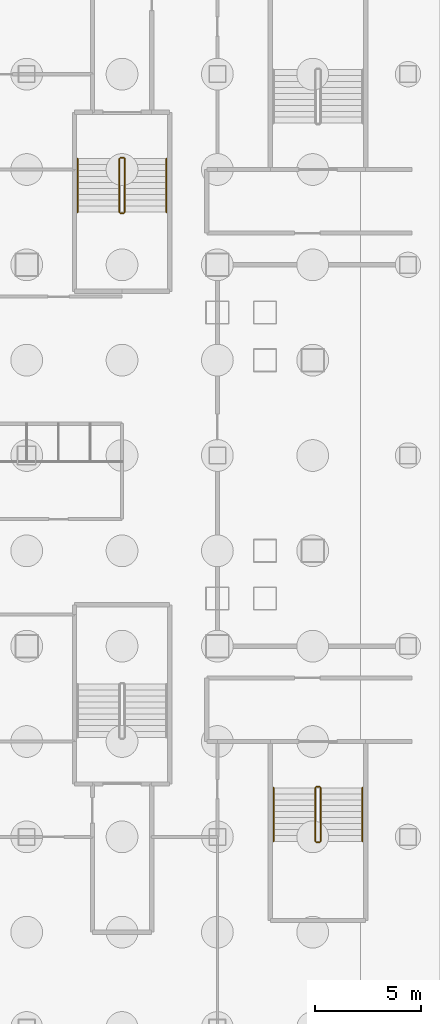
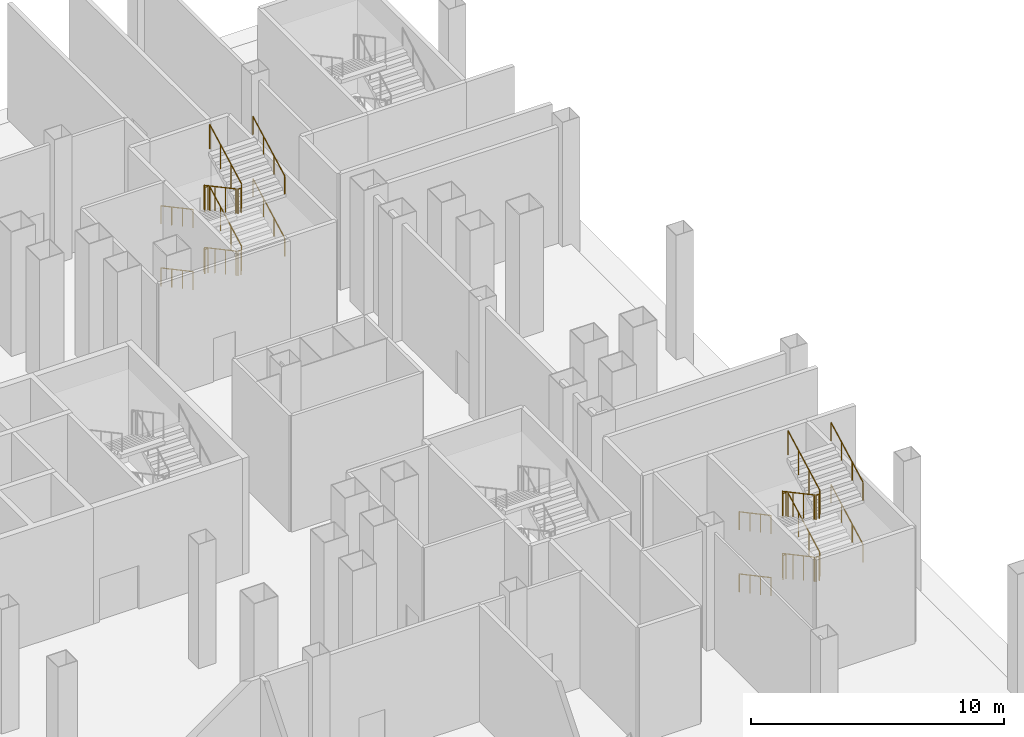
# One storey, part 23 of 25: 24 railings.
"""IFC4 building model written with IfcOpenShell, lengths in metres."""

from ifc_helpers import new_model, si_unit, direction, frame, origin, origin_2d, place, context, subcontext, project, spatial, circle, extrude, material, type_object, element, save


model = new_model("IFC4")

# Units and contexts
model_context = context("Model", 3, precision=1e-05, world=origin(), true_north=direction((0.0, 1.0)))
body_context = subcontext(model_context, "Body", "Model", "MODEL_VIEW")
ifc_project = project(units=[si_unit("LENGTHUNIT", "METRE"), si_unit("AREAUNIT", "SQUARE_METRE"), si_unit("VOLUMEUNIT", "CUBIC_METRE"), si_unit("PLANEANGLEUNIT", "RADIAN"), si_unit("MASSUNIT", "GRAM", prefix="KILO")], contexts=[model_context])

# Site, building, storey
site_placement = place(None, origin())
site = spatial("IfcSite", under=ifc_project, at=site_placement, CompositionType="ELEMENT")
building_placement = place(site_placement, origin())
building = spatial("IfcBuilding", under=site, at=building_placement, Name="Caravel Reach Hotel and Residences", CompositionType="ELEMENT")
storey_placement = place(building_placement, frame((0.0, 0.0, -6.0)))
storey = spatial("IfcBuildingStorey", under=building, at=storey_placement, Name="B1", CompositionType="ELEMENT", Elevation=-6.0)

# Railings
ifc_material_1 = material(Name="Steel balustrade with glass infill", Category="steel")
railing_type_1 = type_object("IfcRailingType", Name="Guard 1200", PredefinedType="GUARDRAIL", material=ifc_material_1)
railing_1_placement = place(storey_placement, frame((53.875, 41.010009765625, 0.14990234375)))
element("IfcRailing", 1, at=railing_1_placement, inside=storey, type_object=railing_type_1, Name="B1 ST-P2 stair guard 1", PredefinedType="GUARDRAIL", context=body_context, shape_type="SweptSolid", body=[
    extrude(circle(Radius=0.02392578125, at=origin_2d()), frame((0.0, 0.0, 1.17578125), z_axis=(0.0, -0.881467274426, 0.472245110209), x_axis=(1.0, 0.0, 0.0)), (0.0, 0.0, 1.0), 2.85888671875),
    extrude(circle(Radius=0.02099609375, at=origin_2d()), origin(), (0.0, 0.0, 1.0), 1.15185546875),
    extrude(circle(Radius=0.02099609375, at=origin_2d()), frame((0.0, -0.840087890625, 0.449951171875)), (0.0, 0.0, 1.0), 1.15185546875),
    extrude(circle(Radius=0.02099609375, at=origin_2d()), frame((0.0, -1.679931640625, 0.900146484375)), (0.0, 0.0, 1.0), 1.15185546875),
    extrude(circle(Radius=0.02099609375, at=origin_2d()), frame((0.0, -2.52001953125, 1.35009765625)), (0.0, 0.0, 1.0), 1.15185546875),
])
railing_2_placement = place(storey_placement, frame((53.925048828125, 38.43994140625, 1.5)))
element("IfcRailing", 2, at=railing_2_placement, inside=storey, type_object=railing_type_1, Name="B1 ST-P2 stair guard 2", PredefinedType="GUARDRAIL", context=body_context, shape_type="SweptSolid", body=[
    extrude(circle(Radius=0.02392578125, at=origin_2d()), frame((0.0, 0.0, 1.17578125), z_axis=(1.0, 0.0, 0.0), x_axis=(0.0, 1.0, 0.0)), (0.0, 0.0, 1.0), 0.14990234375),
    extrude(circle(Radius=0.02099609375, at=origin_2d()), origin(), (0.0, 0.0, 1.0), 1.15185546875),
    extrude(circle(Radius=0.02099609375, at=origin_2d()), frame((0.14990234375, 0.0, 0.0)), (0.0, 0.0, 1.0), 1.15185546875),
])
railing_3_placement = place(storey_placement, frame((54.125, 38.489990234375, 1.64990234375)))
element("IfcRailing", 3, at=railing_3_placement, inside=storey, type_object=railing_type_1, Name="B1 ST-P2 stair guard 3", PredefinedType="GUARDRAIL", context=body_context, shape_type="SweptSolid", body=[
    extrude(circle(Radius=0.02392578125, at=origin_2d()), frame((0.0, 0.0, 1.17578125), z_axis=(0.0, 0.881467274426, 0.472245110209), x_axis=(-1.0, 0.0, 0.0)), (0.0, 0.0, 1.0), 2.85888671875),
    extrude(circle(Radius=0.02099609375, at=origin_2d()), origin(), (0.0, 0.0, 1.0), 1.15185546875),
    extrude(circle(Radius=0.02099609375, at=origin_2d()), frame((0.0, 0.840087890625, 0.449951171875)), (0.0, 0.0, 1.0), 1.15185546875),
    extrude(circle(Radius=0.02099609375, at=origin_2d()), frame((0.0, 1.679931640625, 0.900146484375)), (0.0, 0.0, 1.0), 1.15185546875),
    extrude(circle(Radius=0.02099609375, at=origin_2d()), frame((0.0, 2.52001953125, 1.35009765625)), (0.0, 0.0, 1.0), 1.15185546875),
])
railing_4_placement = place(storey_placement, frame((53.925048828125, 41.06005859375, 3.0)))
element("IfcRailing", 4, at=railing_4_placement, inside=storey, type_object=railing_type_1, Name="B1 ST-P2 stair guard 4", PredefinedType="GUARDRAIL", context=body_context, shape_type="SweptSolid", body=[
    extrude(circle(Radius=0.02392578125, at=origin_2d()), frame((0.0, 0.0, 1.17578125), z_axis=(1.0, 0.0, 0.0), x_axis=(0.0, 1.0, 0.0)), (0.0, 0.0, 1.0), 0.14990234375),
    extrude(circle(Radius=0.02099609375, at=origin_2d()), origin(), (0.0, 0.0, 1.0), 1.15185546875),
    extrude(circle(Radius=0.02099609375, at=origin_2d()), frame((0.14990234375, 0.0, 0.0)), (0.0, 0.0, 1.0), 1.15185546875),
])
railing_5_placement = place(storey_placement, frame((53.875, 41.010009765625, 3.14990234375)))
element("IfcRailing", 5, at=railing_5_placement, inside=storey, type_object=railing_type_1, Name="B1 ST-P2 stair guard 5", PredefinedType="GUARDRAIL", context=body_context, shape_type="SweptSolid", body=[
    extrude(circle(Radius=0.02392578125, at=origin_2d()), frame((0.0, 0.0, 1.17578125), z_axis=(0.0, -0.881467274426, 0.472245110209), x_axis=(1.0, 0.0, 0.0)), (0.0, 0.0, 1.0), 2.85888671875),
    extrude(circle(Radius=0.02099609375, at=origin_2d()), origin(), (0.0, 0.0, 1.0), 1.15185546875),
    extrude(circle(Radius=0.02099609375, at=origin_2d()), frame((0.0, -0.840087890625, 0.449951171875)), (0.0, 0.0, 1.0), 1.15185546875),
    extrude(circle(Radius=0.02099609375, at=origin_2d()), frame((0.0, -1.679931640625, 0.900146484375)), (0.0, 0.0, 1.0), 1.15185546875),
    extrude(circle(Radius=0.02099609375, at=origin_2d()), frame((0.0, -2.52001953125, 1.35009765625)), (0.0, 0.0, 1.0), 1.15185546875),
])
railing_6_placement = place(storey_placement, frame((53.925048828125, 38.43994140625, 4.5)))
element("IfcRailing", 6, at=railing_6_placement, inside=storey, type_object=railing_type_1, Name="B1 ST-P2 stair guard 6", PredefinedType="GUARDRAIL", context=body_context, shape_type="SweptSolid", body=[
    extrude(circle(Radius=0.02392578125, at=origin_2d()), frame((0.0, 0.0, 1.17578125), z_axis=(1.0, 0.0, 0.0), x_axis=(0.0, 1.0, 0.0)), (0.0, 0.0, 1.0), 0.14990234375),
    extrude(circle(Radius=0.02099609375, at=origin_2d()), origin(), (0.0, 0.0, 1.0), 1.15185546875),
    extrude(circle(Radius=0.02099609375, at=origin_2d()), frame((0.14990234375, 0.0, 0.0)), (0.0, 0.0, 1.0), 1.15185546875),
])
railing_7_placement = place(storey_placement, frame((54.125, 38.489990234375, 4.64990234375)))
element("IfcRailing", 7, at=railing_7_placement, inside=storey, type_object=railing_type_1, Name="B1 ST-P2 stair guard 7", PredefinedType="GUARDRAIL", context=body_context, shape_type="SweptSolid", body=[
    extrude(circle(Radius=0.02392578125, at=origin_2d()), frame((0.0, 0.0, 1.17578125), z_axis=(0.0, 0.881467274426, 0.472245110209), x_axis=(-1.0, 0.0, 0.0)), (0.0, 0.0, 1.0), 2.85888671875),
    extrude(circle(Radius=0.02099609375, at=origin_2d()), origin(), (0.0, 0.0, 1.0), 1.15185546875),
    extrude(circle(Radius=0.02099609375, at=origin_2d()), frame((0.0, 0.840087890625, 0.449951171875)), (0.0, 0.0, 1.0), 1.15185546875),
    extrude(circle(Radius=0.02099609375, at=origin_2d()), frame((0.0, 1.679931640625, 0.900146484375)), (0.0, 0.0, 1.0), 1.15185546875),
    extrude(circle(Radius=0.02099609375, at=origin_2d()), frame((0.0, 2.52001953125, 1.35009765625)), (0.0, 0.0, 1.0), 1.15185546875),
])
railing_8_placement = place(storey_placement, frame((53.925048828125, 41.06005859375, 0.0)))
element("IfcRailing", 8, at=railing_8_placement, inside=storey, type_object=railing_type_1, Name="B1 ST-P2 stair guard 8", PredefinedType="GUARDRAIL", context=body_context, shape_type="SweptSolid", body=[
    extrude(circle(Radius=0.02392578125, at=origin_2d()), frame((0.0, 0.0, 1.17578125), z_axis=(1.0, 0.0, 0.0), x_axis=(0.0, 1.0, 0.0)), (0.0, 0.0, 1.0), 0.14990234375),
    extrude(circle(Radius=0.02099609375, at=origin_2d()), origin(), (0.0, 0.0, 1.0), 1.15185546875),
    extrude(circle(Radius=0.02099609375, at=origin_2d()), frame((0.14990234375, 0.0, 0.0)), (0.0, 0.0, 1.0), 1.15185546875),
])
railing_9_placement = place(storey_placement, frame((63.125, 11.31005859375, 0.14990234375)))
element("IfcRailing", 9, at=railing_9_placement, inside=storey, type_object=railing_type_1, Name="B1 ST-P7 stair guard 1", PredefinedType="GUARDRAIL", context=body_context, shape_type="SweptSolid", body=[
    extrude(circle(Radius=0.02392578125, at=origin_2d()), frame((0.0, 0.0, 1.17578125), z_axis=(0.0, -0.881467274426, 0.472245110209), x_axis=(1.0, 0.0, 0.0)), (0.0, 0.0, 1.0), 2.85888671875),
    extrude(circle(Radius=0.02099609375, at=origin_2d()), origin(), (0.0, 0.0, 1.0), 1.15185546875),
    extrude(circle(Radius=0.02099609375, at=origin_2d()), frame((0.0, -0.840087890625, 0.449951171875)), (0.0, 0.0, 1.0), 1.15185546875),
    extrude(circle(Radius=0.02099609375, at=origin_2d()), frame((0.0, -1.679931640625, 0.900146484375)), (0.0, 0.0, 1.0), 1.15185546875),
    extrude(circle(Radius=0.02099609375, at=origin_2d()), frame((0.0, -2.52001953125, 1.35009765625)), (0.0, 0.0, 1.0), 1.15185546875),
])
railing_10_placement = place(storey_placement, frame((63.175048828125, 8.739990234375, 1.5)))
element("IfcRailing", 10, at=railing_10_placement, inside=storey, type_object=railing_type_1, Name="B1 ST-P7 stair guard 2", PredefinedType="GUARDRAIL", context=body_context, shape_type="SweptSolid", body=[
    extrude(circle(Radius=0.02392578125, at=origin_2d()), frame((0.0, 0.0, 1.17578125), z_axis=(1.0, 0.0, 0.0), x_axis=(0.0, 1.0, 0.0)), (0.0, 0.0, 1.0), 0.14990234375),
    extrude(circle(Radius=0.02099609375, at=origin_2d()), origin(), (0.0, 0.0, 1.0), 1.15185546875),
    extrude(circle(Radius=0.02099609375, at=origin_2d()), frame((0.14990234375, 0.0, 0.0)), (0.0, 0.0, 1.0), 1.15185546875),
])
railing_11_placement = place(storey_placement, frame((63.375, 8.7900390625, 1.64990234375)))
element("IfcRailing", 11, at=railing_11_placement, inside=storey, type_object=railing_type_1, Name="B1 ST-P7 stair guard 3", PredefinedType="GUARDRAIL", context=body_context, shape_type="SweptSolid", body=[
    extrude(circle(Radius=0.02392578125, at=origin_2d()), frame((0.0, 0.0, 1.17578125), z_axis=(0.0, 0.881467274426, 0.472245110209), x_axis=(-1.0, 0.0, 0.0)), (0.0, 0.0, 1.0), 2.85888671875),
    extrude(circle(Radius=0.02099609375, at=origin_2d()), origin(), (0.0, 0.0, 1.0), 1.15185546875),
    extrude(circle(Radius=0.02099609375, at=origin_2d()), frame((0.0, 0.840087890625, 0.449951171875)), (0.0, 0.0, 1.0), 1.15185546875),
    extrude(circle(Radius=0.02099609375, at=origin_2d()), frame((0.0, 1.679931640625, 0.900146484375)), (0.0, 0.0, 1.0), 1.15185546875),
    extrude(circle(Radius=0.02099609375, at=origin_2d()), frame((0.0, 2.52001953125, 1.35009765625)), (0.0, 0.0, 1.0), 1.15185546875),
])
railing_12_placement = place(storey_placement, frame((63.175048828125, 11.360107421875, 3.0)))
element("IfcRailing", 12, at=railing_12_placement, inside=storey, type_object=railing_type_1, Name="B1 ST-P7 stair guard 4", PredefinedType="GUARDRAIL", context=body_context, shape_type="SweptSolid", body=[
    extrude(circle(Radius=0.02392578125, at=origin_2d()), frame((0.0, 0.0, 1.17578125), z_axis=(1.0, 0.0, 0.0), x_axis=(0.0, 1.0, 0.0)), (0.0, 0.0, 1.0), 0.14990234375),
    extrude(circle(Radius=0.02099609375, at=origin_2d()), origin(), (0.0, 0.0, 1.0), 1.15185546875),
    extrude(circle(Radius=0.02099609375, at=origin_2d()), frame((0.14990234375, 0.0, 0.0)), (0.0, 0.0, 1.0), 1.15185546875),
])
railing_13_placement = place(storey_placement, frame((63.125, 11.31005859375, 3.14990234375)))
element("IfcRailing", 13, at=railing_13_placement, inside=storey, type_object=railing_type_1, Name="B1 ST-P7 stair guard 5", PredefinedType="GUARDRAIL", context=body_context, shape_type="SweptSolid", body=[
    extrude(circle(Radius=0.02392578125, at=origin_2d()), frame((0.0, 0.0, 1.17578125), z_axis=(0.0, -0.881467274426, 0.472245110209), x_axis=(1.0, 0.0, 0.0)), (0.0, 0.0, 1.0), 2.85888671875),
    extrude(circle(Radius=0.02099609375, at=origin_2d()), origin(), (0.0, 0.0, 1.0), 1.15185546875),
    extrude(circle(Radius=0.02099609375, at=origin_2d()), frame((0.0, -0.840087890625, 0.449951171875)), (0.0, 0.0, 1.0), 1.15185546875),
    extrude(circle(Radius=0.02099609375, at=origin_2d()), frame((0.0, -1.679931640625, 0.900146484375)), (0.0, 0.0, 1.0), 1.15185546875),
    extrude(circle(Radius=0.02099609375, at=origin_2d()), frame((0.0, -2.52001953125, 1.35009765625)), (0.0, 0.0, 1.0), 1.15185546875),
])
railing_14_placement = place(storey_placement, frame((63.175048828125, 8.739990234375, 4.5)))
element("IfcRailing", 14, at=railing_14_placement, inside=storey, type_object=railing_type_1, Name="B1 ST-P7 stair guard 6", PredefinedType="GUARDRAIL", context=body_context, shape_type="SweptSolid", body=[
    extrude(circle(Radius=0.02392578125, at=origin_2d()), frame((0.0, 0.0, 1.17578125), z_axis=(1.0, 0.0, 0.0), x_axis=(0.0, 1.0, 0.0)), (0.0, 0.0, 1.0), 0.14990234375),
    extrude(circle(Radius=0.02099609375, at=origin_2d()), origin(), (0.0, 0.0, 1.0), 1.15185546875),
    extrude(circle(Radius=0.02099609375, at=origin_2d()), frame((0.14990234375, 0.0, 0.0)), (0.0, 0.0, 1.0), 1.15185546875),
])
railing_15_placement = place(storey_placement, frame((63.375, 8.7900390625, 4.64990234375)))
element("IfcRailing", 15, at=railing_15_placement, inside=storey, type_object=railing_type_1, Name="B1 ST-P7 stair guard 7", PredefinedType="GUARDRAIL", context=body_context, shape_type="SweptSolid", body=[
    extrude(circle(Radius=0.02392578125, at=origin_2d()), frame((0.0, 0.0, 1.17578125), z_axis=(0.0, 0.881467274426, 0.472245110209), x_axis=(-1.0, 0.0, 0.0)), (0.0, 0.0, 1.0), 2.85888671875),
    extrude(circle(Radius=0.02099609375, at=origin_2d()), origin(), (0.0, 0.0, 1.0), 1.15185546875),
    extrude(circle(Radius=0.02099609375, at=origin_2d()), frame((0.0, 0.840087890625, 0.449951171875)), (0.0, 0.0, 1.0), 1.15185546875),
    extrude(circle(Radius=0.02099609375, at=origin_2d()), frame((0.0, 1.679931640625, 0.900146484375)), (0.0, 0.0, 1.0), 1.15185546875),
    extrude(circle(Radius=0.02099609375, at=origin_2d()), frame((0.0, 2.52001953125, 1.35009765625)), (0.0, 0.0, 1.0), 1.15185546875),
])
railing_16_placement = place(storey_placement, frame((63.175048828125, 11.360107421875, 0.0)))
element("IfcRailing", 16, at=railing_16_placement, inside=storey, type_object=railing_type_1, Name="B1 ST-P7 stair guard 8", PredefinedType="GUARDRAIL", context=body_context, shape_type="SweptSolid", body=[
    extrude(circle(Radius=0.02392578125, at=origin_2d()), frame((0.0, 0.0, 1.17578125), z_axis=(1.0, 0.0, 0.0), x_axis=(0.0, 1.0, 0.0)), (0.0, 0.0, 1.0), 0.14990234375),
    extrude(circle(Radius=0.02099609375, at=origin_2d()), origin(), (0.0, 0.0, 1.0), 1.15185546875),
    extrude(circle(Radius=0.02099609375, at=origin_2d()), frame((0.14990234375, 0.0, 0.0)), (0.0, 0.0, 1.0), 1.15185546875),
])
ifc_material_2 = material(Name="Stainless steel handrail", Category="steel")
railing_type_2 = type_object("IfcRailingType", Name="Handrail 900", PredefinedType="HANDRAIL", material=ifc_material_2)
railing_17_placement = place(storey_placement, frame((51.905029296875, 41.010009765625, 0.14990234375)))
element("IfcRailing", 17, at=railing_17_placement, inside=storey, type_object=railing_type_2, Name="B1 ST-P2 stair handrail 1", PredefinedType="HANDRAIL", context=body_context, shape_type="SweptSolid", body=[
    extrude(circle(Radius=0.02392578125, at=origin_2d()), frame((0.0, 0.0, 0.8759765625), z_axis=(0.0, -0.881467274426, 0.472245110209), x_axis=(1.0, 0.0, 0.0)), (0.0, 0.0, 1.0), 2.85888671875),
    extrude(circle(Radius=0.02099609375, at=origin_2d()), origin(), (0.0, 0.0, 1.0), 0.851806640625),
    extrude(circle(Radius=0.02099609375, at=origin_2d()), frame((0.0, -0.840087890625, 0.449951171875)), (0.0, 0.0, 1.0), 0.851806640625),
    extrude(circle(Radius=0.02099609375, at=origin_2d()), frame((0.0, -1.679931640625, 0.900146484375)), (0.0, 0.0, 1.0), 0.851806640625),
    extrude(circle(Radius=0.02099609375, at=origin_2d()), frame((0.0, -2.52001953125, 1.35009765625)), (0.0, 0.0, 1.0), 0.851806640625),
])
railing_18_placement = place(storey_placement, frame((56.094970703125, 38.489990234375, 1.64990234375)))
element("IfcRailing", 18, at=railing_18_placement, inside=storey, type_object=railing_type_2, Name="B1 ST-P2 stair handrail 2", PredefinedType="HANDRAIL", context=body_context, shape_type="SweptSolid", body=[
    extrude(circle(Radius=0.02392578125, at=origin_2d()), frame((0.0, 0.0, 0.8759765625), z_axis=(0.0, 0.881467274426, 0.472245110209), x_axis=(-1.0, 0.0, 0.0)), (0.0, 0.0, 1.0), 2.85888671875),
    extrude(circle(Radius=0.02099609375, at=origin_2d()), origin(), (0.0, 0.0, 1.0), 0.851806640625),
    extrude(circle(Radius=0.02099609375, at=origin_2d()), frame((0.0, 0.840087890625, 0.449951171875)), (0.0, 0.0, 1.0), 0.851806640625),
    extrude(circle(Radius=0.02099609375, at=origin_2d()), frame((0.0, 1.679931640625, 0.900146484375)), (0.0, 0.0, 1.0), 0.851806640625),
    extrude(circle(Radius=0.02099609375, at=origin_2d()), frame((0.0, 2.52001953125, 1.35009765625)), (0.0, 0.0, 1.0), 0.851806640625),
])
railing_19_placement = place(storey_placement, frame((51.905029296875, 41.010009765625, 3.14990234375)))
element("IfcRailing", 19, at=railing_19_placement, inside=storey, type_object=railing_type_2, Name="B1 ST-P2 stair handrail 3", PredefinedType="HANDRAIL", context=body_context, shape_type="SweptSolid", body=[
    extrude(circle(Radius=0.02392578125, at=origin_2d()), frame((0.0, 0.0, 0.8759765625), z_axis=(0.0, -0.881467274426, 0.472245110209), x_axis=(1.0, 0.0, 0.0)), (0.0, 0.0, 1.0), 2.85888671875),
    extrude(circle(Radius=0.02099609375, at=origin_2d()), origin(), (0.0, 0.0, 1.0), 0.851806640625),
    extrude(circle(Radius=0.02099609375, at=origin_2d()), frame((0.0, -0.840087890625, 0.449951171875)), (0.0, 0.0, 1.0), 0.851806640625),
    extrude(circle(Radius=0.02099609375, at=origin_2d()), frame((0.0, -1.679931640625, 0.900146484375)), (0.0, 0.0, 1.0), 0.851806640625),
    extrude(circle(Radius=0.02099609375, at=origin_2d()), frame((0.0, -2.52001953125, 1.35009765625)), (0.0, 0.0, 1.0), 0.851806640625),
])
railing_20_placement = place(storey_placement, frame((56.094970703125, 38.489990234375, 4.64990234375)))
element("IfcRailing", 20, at=railing_20_placement, inside=storey, type_object=railing_type_2, Name="B1 ST-P2 stair handrail 4", PredefinedType="HANDRAIL", context=body_context, shape_type="SweptSolid", body=[
    extrude(circle(Radius=0.02392578125, at=origin_2d()), frame((0.0, 0.0, 0.8759765625), z_axis=(0.0, 0.881467274426, 0.472245110209), x_axis=(-1.0, 0.0, 0.0)), (0.0, 0.0, 1.0), 2.85888671875),
    extrude(circle(Radius=0.02099609375, at=origin_2d()), origin(), (0.0, 0.0, 1.0), 0.851806640625),
    extrude(circle(Radius=0.02099609375, at=origin_2d()), frame((0.0, 0.840087890625, 0.449951171875)), (0.0, 0.0, 1.0), 0.851806640625),
    extrude(circle(Radius=0.02099609375, at=origin_2d()), frame((0.0, 1.679931640625, 0.900146484375)), (0.0, 0.0, 1.0), 0.851806640625),
    extrude(circle(Radius=0.02099609375, at=origin_2d()), frame((0.0, 2.52001953125, 1.35009765625)), (0.0, 0.0, 1.0), 0.851806640625),
])
railing_21_placement = place(storey_placement, frame((61.155029296875, 11.31005859375, 0.14990234375)))
element("IfcRailing", 21, at=railing_21_placement, inside=storey, type_object=railing_type_2, Name="B1 ST-P7 stair handrail 1", PredefinedType="HANDRAIL", context=body_context, shape_type="SweptSolid", body=[
    extrude(circle(Radius=0.02392578125, at=origin_2d()), frame((0.0, 0.0, 0.8759765625), z_axis=(0.0, -0.881467274426, 0.472245110209), x_axis=(1.0, 0.0, 0.0)), (0.0, 0.0, 1.0), 2.85888671875),
    extrude(circle(Radius=0.02099609375, at=origin_2d()), origin(), (0.0, 0.0, 1.0), 0.851806640625),
    extrude(circle(Radius=0.02099609375, at=origin_2d()), frame((0.0, -0.840087890625, 0.449951171875)), (0.0, 0.0, 1.0), 0.851806640625),
    extrude(circle(Radius=0.02099609375, at=origin_2d()), frame((0.0, -1.679931640625, 0.900146484375)), (0.0, 0.0, 1.0), 0.851806640625),
    extrude(circle(Radius=0.02099609375, at=origin_2d()), frame((0.0, -2.52001953125, 1.35009765625)), (0.0, 0.0, 1.0), 0.851806640625),
])
railing_22_placement = place(storey_placement, frame((65.344970703125, 8.7900390625, 1.64990234375)))
element("IfcRailing", 22, at=railing_22_placement, inside=storey, type_object=railing_type_2, Name="B1 ST-P7 stair handrail 2", PredefinedType="HANDRAIL", context=body_context, shape_type="SweptSolid", body=[
    extrude(circle(Radius=0.02392578125, at=origin_2d()), frame((0.0, 0.0, 0.8759765625), z_axis=(0.0, 0.881467274426, 0.472245110209), x_axis=(-1.0, 0.0, 0.0)), (0.0, 0.0, 1.0), 2.85888671875),
    extrude(circle(Radius=0.02099609375, at=origin_2d()), origin(), (0.0, 0.0, 1.0), 0.851806640625),
    extrude(circle(Radius=0.02099609375, at=origin_2d()), frame((0.0, 0.840087890625, 0.449951171875)), (0.0, 0.0, 1.0), 0.851806640625),
    extrude(circle(Radius=0.02099609375, at=origin_2d()), frame((0.0, 1.679931640625, 0.900146484375)), (0.0, 0.0, 1.0), 0.851806640625),
    extrude(circle(Radius=0.02099609375, at=origin_2d()), frame((0.0, 2.52001953125, 1.35009765625)), (0.0, 0.0, 1.0), 0.851806640625),
])
railing_23_placement = place(storey_placement, frame((61.155029296875, 11.31005859375, 3.14990234375)))
element("IfcRailing", 23, at=railing_23_placement, inside=storey, type_object=railing_type_2, Name="B1 ST-P7 stair handrail 3", PredefinedType="HANDRAIL", context=body_context, shape_type="SweptSolid", body=[
    extrude(circle(Radius=0.02392578125, at=origin_2d()), frame((0.0, 0.0, 0.8759765625), z_axis=(0.0, -0.881467274426, 0.472245110209), x_axis=(1.0, 0.0, 0.0)), (0.0, 0.0, 1.0), 2.85888671875),
    extrude(circle(Radius=0.02099609375, at=origin_2d()), origin(), (0.0, 0.0, 1.0), 0.851806640625),
    extrude(circle(Radius=0.02099609375, at=origin_2d()), frame((0.0, -0.840087890625, 0.449951171875)), (0.0, 0.0, 1.0), 0.851806640625),
    extrude(circle(Radius=0.02099609375, at=origin_2d()), frame((0.0, -1.679931640625, 0.900146484375)), (0.0, 0.0, 1.0), 0.851806640625),
    extrude(circle(Radius=0.02099609375, at=origin_2d()), frame((0.0, -2.52001953125, 1.35009765625)), (0.0, 0.0, 1.0), 0.851806640625),
])
railing_24_placement = place(storey_placement, frame((65.344970703125, 8.7900390625, 4.64990234375)))
element("IfcRailing", 24, at=railing_24_placement, inside=storey, type_object=railing_type_2, Name="B1 ST-P7 stair handrail 4", PredefinedType="HANDRAIL", context=body_context, shape_type="SweptSolid", body=[
    extrude(circle(Radius=0.02392578125, at=origin_2d()), frame((0.0, 0.0, 0.8759765625), z_axis=(0.0, 0.881467274426, 0.472245110209), x_axis=(-1.0, 0.0, 0.0)), (0.0, 0.0, 1.0), 2.85888671875),
    extrude(circle(Radius=0.02099609375, at=origin_2d()), origin(), (0.0, 0.0, 1.0), 0.851806640625),
    extrude(circle(Radius=0.02099609375, at=origin_2d()), frame((0.0, 0.840087890625, 0.449951171875)), (0.0, 0.0, 1.0), 0.851806640625),
    extrude(circle(Radius=0.02099609375, at=origin_2d()), frame((0.0, 1.679931640625, 0.900146484375)), (0.0, 0.0, 1.0), 0.851806640625),
    extrude(circle(Radius=0.02099609375, at=origin_2d()), frame((0.0, 2.52001953125, 1.35009765625)), (0.0, 0.0, 1.0), 0.851806640625),
])

save(model, "model.ifc")
